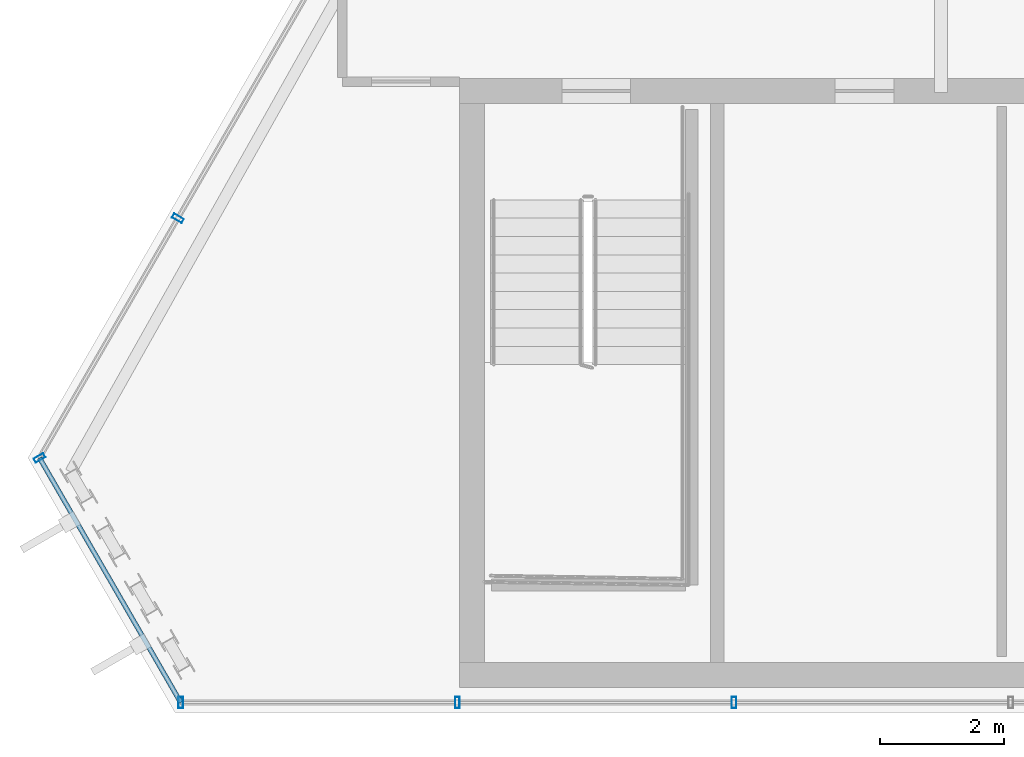
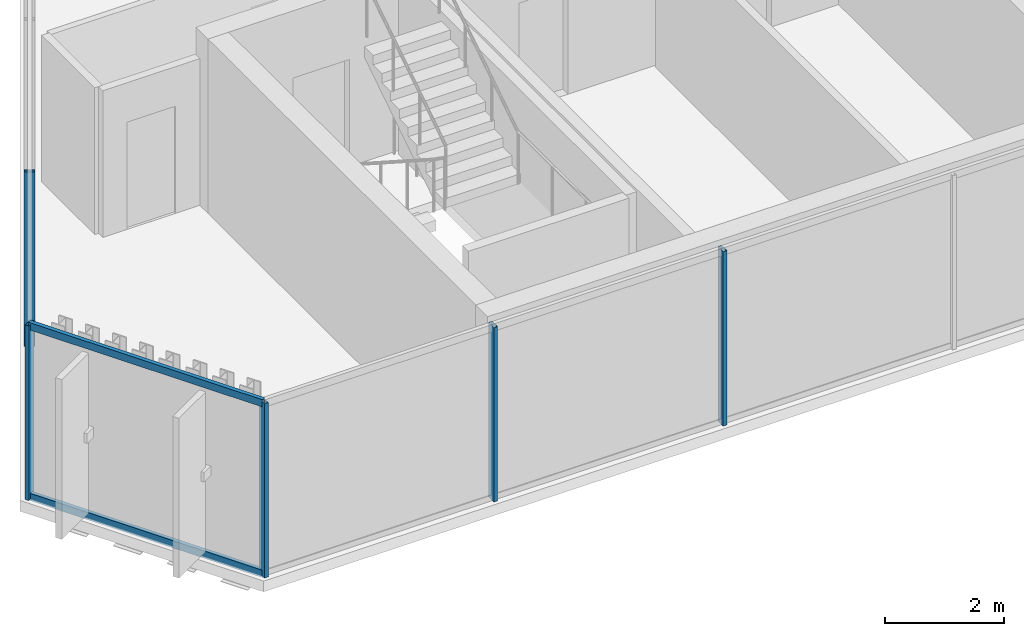
# One storey, part 3 of 32: 7 members, 3 elements without a shape of their own.
"""IFC4 building model written with IfcOpenShell, lengths in metres."""

from ifc_helpers import new_model, si_unit, direction, frame, origin, origin_2d, place, context, subcontext, project, spatial, hollow_rectangle, extrude, material, layer, layer_set, material_profile, profile_set, type_object, element, aggregate, save


model = new_model("IFC4")

# Units and contexts
model_context = context("Model", 3, precision=1e-05, world=origin(), true_north=direction((0.0, 1.0)))
body_context = subcontext(model_context, "Body", "Model", "MODEL_VIEW")
ifc_project = project(units=[si_unit("LENGTHUNIT", "METRE"), si_unit("AREAUNIT", "SQUARE_METRE"), si_unit("VOLUMEUNIT", "CUBIC_METRE"), si_unit("PLANEANGLEUNIT", "RADIAN"), si_unit("MASSUNIT", "GRAM", prefix="KILO")], contexts=[model_context])

# Site, building, storey
site_placement = place(None, origin())
site = spatial("IfcSite", under=ifc_project, at=site_placement, CompositionType="ELEMENT")
building_placement = place(site_placement, origin())
building = spatial("IfcBuilding", under=site, at=building_placement, Name="Ndaravel Arena Tower", CompositionType="ELEMENT")
storey_placement = place(building_placement, frame((0.0, 0.0, 287.10009765625)))
storey = spatial("IfcBuildingStorey", under=building, at=storey_placement, Name="L70", CompositionType="ELEMENT", Elevation=287.10009765625)

# Curtain wall, members
ifc_material_1 = material(Name="Aluminium", Category="aluminium")
ifc_layer_1 = layer(ifc_material_1, 0.179931640625)
ifc_layer_set_1 = layer_set([ifc_layer_1], Name="Aluminium")
curtain_wall_type_1 = type_object("IfcCurtainWallType", Name="CW-SYS-03", PredefinedType="NOTDEFINED", material=ifc_layer_set_1)
curtain_wall_1_placement = place(storey_placement, origin())
curtain_wall_1 = element("IfcCurtainWall", 1, at=curtain_wall_1_placement, inside=storey, type_object=curtain_wall_type_1, Name="L70 Faceted Crystal Curtain Wall CW-L70-E01", PredefinedType="NOTDEFINED")
ifc_material_2 = material(Name="Aluminium", Category="aluminium")
ifc_material_profile_1 = material_profile(ifc_material_2, hollow_rectangle(XDim=0.074951171875, YDim=0.179931640625, WallThickness=0.00390625, at=origin_2d()), Name="CW MULLION 75x180x4")
ifc_profile_set_1 = profile_set([ifc_material_profile_1], Name="Aluminium")
member_type_1 = type_object("IfcMemberType", Name="MEM-CW-MUL180", PredefinedType="MULLION", material=ifc_profile_set_1)
member_1_placement = place(storey_placement, frame((21.96484375, 5.159912109375, 0.0), z_axis=(0.0, 0.0, 1.0), x_axis=(1.0, 0.0, 0.0)))
member_1 = element("IfcMember", 2, at=member_1_placement, type_object=member_type_1, Name="CW-L70-E01 Mullion 00", PredefinedType="MULLION", context=body_context, shape_type="SweptSolid", body=[
    extrude(hollow_rectangle(XDim=0.074951171875, YDim=0.179931640625, WallThickness=0.00390625, at=origin_2d()), origin(), (0.0, 0.0, 1.0), 3.579833984375),
])
member_2_placement = place(storey_placement, frame((26.4169921875, 5.159912109375, 0.0), z_axis=(0.0, 0.0, 1.0), x_axis=(1.0, 0.0, 0.0)))
member_2 = element("IfcMember", 3, at=member_2_placement, type_object=member_type_1, Name="CW-L70-E01 Mullion 01", PredefinedType="MULLION", context=body_context, shape_type="SweptSolid", body=[
    extrude(hollow_rectangle(XDim=0.074951171875, YDim=0.179931640625, WallThickness=0.00390625, at=origin_2d()), origin(), (0.0, 0.0, 1.0), 3.579833984375),
])
member_3_placement = place(storey_placement, frame((30.869384765625, 5.159912109375, 0.0), z_axis=(0.0, 0.0, 1.0), x_axis=(1.0, 0.0, 0.0)))
member_3 = element("IfcMember", 4, at=member_3_placement, type_object=member_type_1, Name="CW-L70-E01 Mullion 02", PredefinedType="MULLION", context=body_context, shape_type="SweptSolid", body=[
    extrude(hollow_rectangle(XDim=0.074951171875, YDim=0.179931640625, WallThickness=0.00390625, at=origin_2d()), origin(), (0.0, 0.0, 1.0), 3.579833984375),
])
aggregate(curtain_wall_1, [member_1, member_2, member_3])

# Curtain wall, member
curtain_wall_2_placement = place(storey_placement, origin())
curtain_wall_2 = element("IfcCurtainWall", 5, at=curtain_wall_2_placement, inside=storey, type_object=curtain_wall_type_1, Name="L70 Faceted Crystal Curtain Wall CW-L70-E05", PredefinedType="NOTDEFINED")
member_4_placement = place(storey_placement, frame((21.918701171875, 12.95166015625, 0.0), z_axis=(0.0, 0.0, 1.0), x_axis=(-0.5, -0.866025403784, 0.0)))
member_4 = element("IfcMember", 6, at=member_4_placement, type_object=member_type_1, Name="CW-L70-E05 Mullion 08", PredefinedType="MULLION", context=body_context, shape_type="SweptSolid", body=[
    extrude(hollow_rectangle(XDim=0.074951171875, YDim=0.179931640625, WallThickness=0.00390625, at=origin_2d()), origin(), (0.0, 0.0, 1.0), 3.579833984375),
])
aggregate(curtain_wall_2, [member_4])

# Curtain wall, members
ifc_material_3 = material(Name="Aluminium", Category="aluminium")
ifc_layer_2 = layer(ifc_material_3, 0.179931640625)
ifc_layer_set_2 = layer_set([ifc_layer_2], Name="Aluminium")
curtain_wall_type_2 = type_object("IfcCurtainWallType", Name="CW-SYS-02", PredefinedType="NOTDEFINED", material=ifc_layer_set_2)
curtain_wall_3_placement = place(storey_placement, origin())
curtain_wall_3 = element("IfcCurtainWall", 7, at=curtain_wall_3_placement, inside=storey, type_object=curtain_wall_type_2, Name="L70 Faceted Crystal Curtain Wall CW-L70-E06", PredefinedType="NOTDEFINED")
member_5_placement = place(storey_placement, frame((19.692626953125, 9.095947265625, 0.0), z_axis=(0.0, 0.0, 1.0), x_axis=(0.499984884929, -0.866034130299, 0.0)))
member_5 = element("IfcMember", 8, at=member_5_placement, type_object=member_type_1, Name="CW-L70-E06 Mullion 00", PredefinedType="MULLION", context=body_context, shape_type="SweptSolid", body=[
    extrude(hollow_rectangle(XDim=0.074951171875, YDim=0.179931640625, WallThickness=0.00390625, at=origin_2d()), origin(), (0.0, 0.0, 1.0), 3.579833984375),
])
ifc_material_4 = material(Name="Aluminium", Category="aluminium")
ifc_material_profile_2 = material_profile(ifc_material_4, hollow_rectangle(XDim=0.074951171875, YDim=0.14990234375, WallThickness=0.00390625, at=origin_2d()), Name="CW TRANSOM 75x150x4")
ifc_profile_set_2 = profile_set([ifc_material_profile_2], Name="Aluminium")
member_type_2 = type_object("IfcMemberType", Name="MEM-CW-TRN150", PredefinedType="USERDEFINED", material=ifc_profile_set_2)
member_6_placement = place(storey_placement, frame((19.692626953125, 9.095947265625, 0.039794921875), z_axis=(0.49995805709, -0.866049618181, 0.0), x_axis=(0.866049618181, 0.49995805709, 0.0)))
member_6 = element("IfcMember", 9, at=member_6_placement, type_object=member_type_2, Name="CW-L70-E06 Transom 01", ObjectType="TRANSOM", PredefinedType="USERDEFINED", context=body_context, shape_type="SweptSolid", body=[
    extrude(hollow_rectangle(XDim=0.074951171875, YDim=0.14990234375, WallThickness=0.00390625, at=origin_2d()), origin(), (0.0, 0.0, 1.0), 4.544921875),
])
member_7_placement = place(storey_placement, frame((19.692626953125, 9.095947265625, 3.539794921875), z_axis=(0.49995805709, -0.866049618181, 0.0), x_axis=(0.866049618181, 0.49995805709, 0.0)))
member_7 = element("IfcMember", 10, at=member_7_placement, type_object=member_type_2, Name="CW-L70-E06 Transom 02", ObjectType="TRANSOM", PredefinedType="USERDEFINED", context=body_context, shape_type="SweptSolid", body=[
    extrude(hollow_rectangle(XDim=0.074951171875, YDim=0.14990234375, WallThickness=0.00390625, at=origin_2d()), origin(), (0.0, 0.0, 1.0), 4.544921875),
])
aggregate(curtain_wall_3, [member_5, member_6, member_7])

save(model, "model.ifc")
